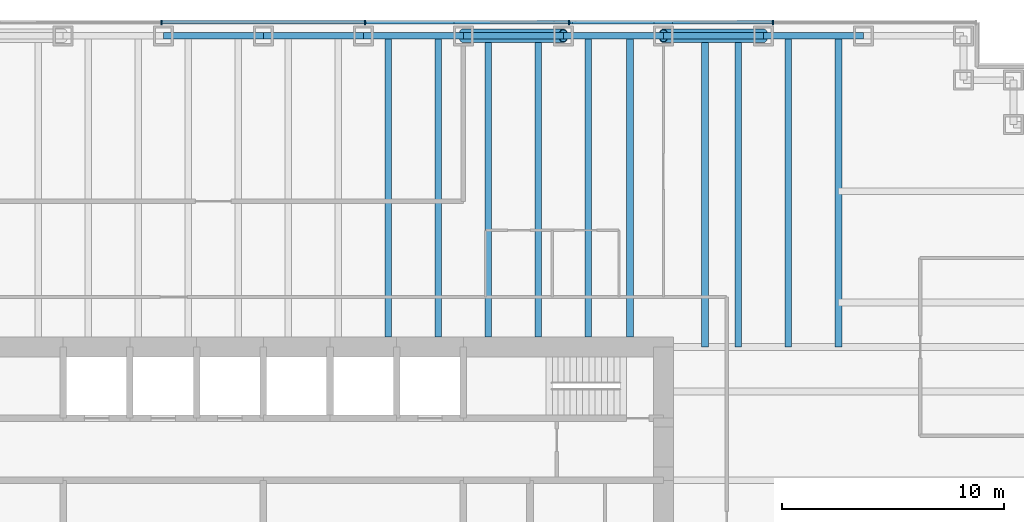
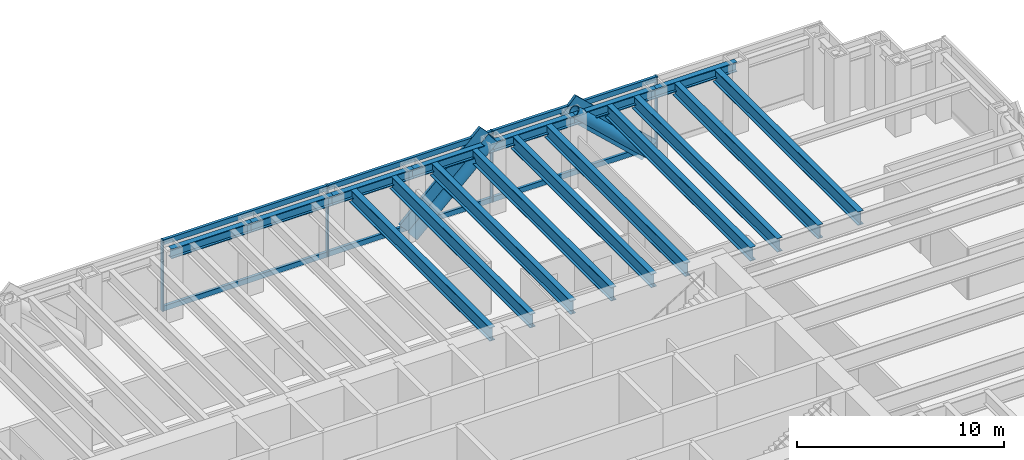
# One storey, part 7 of 15: 17 beams, 14 members, 1 element without a shape of its own.
"""IFC4 building model written with IfcOpenShell, lengths in metres."""

from ifc_helpers import new_model, si_unit, direction, frame, origin, origin_2d, place, context, subcontext, project, spatial, rectangle, hollow_circle, i_section, extrude, material, material_profile, profile_set, type_object, element, aggregate, save


model = new_model("IFC4")

# Units and contexts
model_context = context("Model", 3, precision=1e-05, world=origin(), true_north=direction((0.0, 1.0)))
body_context = subcontext(model_context, "Body", "Model", "MODEL_VIEW")
ifc_project = project(units=[si_unit("LENGTHUNIT", "METRE"), si_unit("AREAUNIT", "SQUARE_METRE"), si_unit("VOLUMEUNIT", "CUBIC_METRE"), si_unit("PLANEANGLEUNIT", "RADIAN"), si_unit("MASSUNIT", "GRAM", prefix="KILO")], contexts=[model_context])

# Site, building, storey
site_placement = place(None, origin())
site = spatial("IfcSite", under=ifc_project, at=site_placement, CompositionType="ELEMENT")
building_placement = place(site_placement, origin())
building = spatial("IfcBuilding", under=site, at=building_placement, Name="Rheinbord Bourse Tower", CompositionType="ELEMENT")
storey_placement = place(building_placement, frame((0.0, 0.0, 134.10009765625)))
storey = spatial("IfcBuildingStorey", under=building, at=storey_placement, Name="L29", CompositionType="ELEMENT", Elevation=134.10009765625)

# Curtain wall, members
ifc_material_1 = material(Name="Dark glass and black aluminium", Category="aluminium")
curtain_wall_type = type_object("IfcCurtainWallType", Name="CW2 DARK GLASS CURTAIN WALL", PredefinedType="USERDEFINED", material=ifc_material_1)
curtain_wall_placement = place(storey_placement, origin())
curtain_wall = element("IfcCurtainWall", 1, at=curtain_wall_placement, inside=storey, type_object=curtain_wall_type, Name="Curtain wall CW2 N L29", ObjectType="UNITISED CURTAIN WALL", PredefinedType="USERDEFINED")
ifc_material_2 = material(Name="Black anodised aluminium", Category="aluminium")
ifc_material_profile_1 = material_profile(ifc_material_2, rectangle(XDim=0.159912109375, YDim=1.2099609375, at=origin_2d()), Name="CW2 DIAGONAL MULLION 1210x160")
ifc_profile_set_1 = profile_set([ifc_material_profile_1], Name="Black anodised aluminium")
member_type_1 = type_object("IfcMemberType", Name="CW2 BLACK DIAGONAL MULLION", PredefinedType="USERDEFINED", material=ifc_profile_set_1)
member_1_placement = place(storey_placement, frame((58.5, 46.60009765625, 0.0), z_axis=(-0.73105922506, 0.0, 0.682314010889), x_axis=(0.0, -1.0, 0.0)))
member_1 = element("IfcMember", 2, at=member_1_placement, type_object=member_type_1, Name="CW2 diagonal mullion b", ObjectType="DIAGONAL MULLION", PredefinedType="USERDEFINED", context=body_context, shape_type="SweptSolid", body=[
    extrude(rectangle(XDim=0.159912109375, YDim=1.2099609375, at=origin_2d()), origin(), (0.0, 0.0, 1.0), 6.155517578125),
])
member_2_placement = place(storey_placement, frame((45.0, 46.60009765625, 0.0), z_axis=(0.73105922506, 0.0, 0.682314010889), x_axis=(0.0, 1.0, 0.0)))
member_2 = element("IfcMember", 3, at=member_2_placement, type_object=member_type_1, Name="CW2 diagonal mullion c", ObjectType="DIAGONAL MULLION", PredefinedType="USERDEFINED", context=body_context, shape_type="SweptSolid", body=[
    extrude(rectangle(XDim=0.159912109375, YDim=1.2099609375, at=origin_2d()), origin(), (0.0, 0.0, 1.0), 6.155517578125),
])
ifc_material_3 = material(Name="Black anodised aluminium", Category="aluminium")
ifc_material_profile_2 = material_profile(ifc_material_3, rectangle(XDim=0.219970703125, YDim=0.070068359375, at=origin_2d()), Name="CW2 MULLION 70x220")
ifc_profile_set_2 = profile_set([ifc_material_profile_2], Name="Black anodised aluminium")
member_type_2 = type_object("IfcMemberType", Name="CW2 BLACK MULLION", PredefinedType="MULLION", material=ifc_profile_set_2)
member_3_placement = place(storey_placement, frame((58.928466796875, 46.60009765625, 0.0), z_axis=(0.0, 0.0, 1.0), x_axis=(0.0, -1.0, 0.0)))
member_3 = element("IfcMember", 4, at=member_3_placement, type_object=member_type_2, Name="CW2 mullion 2", PredefinedType="MULLION", context=body_context, shape_type="SweptSolid", body=[
    extrude(rectangle(XDim=0.219970703125, YDim=0.070068359375, at=origin_2d()), origin(), (0.0, 0.0, 1.0), 4.199951171875),
])
member_4_placement = place(storey_placement, frame((49.757080078125, 46.60009765625, 0.0), z_axis=(0.0, 0.0, 1.0), x_axis=(0.0, -1.0, 0.0)))
member_4 = element("IfcMember", 5, at=member_4_placement, type_object=member_type_2, Name="CW2 mullion 3", PredefinedType="MULLION", context=body_context, shape_type="SweptSolid", body=[
    extrude(rectangle(XDim=0.219970703125, YDim=0.070068359375, at=origin_2d()), origin(), (0.0, 0.0, 1.0), 4.199951171875),
])
member_5_placement = place(storey_placement, frame((40.585693359375, 46.60009765625, 0.0), z_axis=(0.0, 0.0, 1.0), x_axis=(0.0, -1.0, 0.0)))
member_5 = element("IfcMember", 6, at=member_5_placement, type_object=member_type_2, Name="CW2 mullion 4", PredefinedType="MULLION", context=body_context, shape_type="SweptSolid", body=[
    extrude(rectangle(XDim=0.219970703125, YDim=0.070068359375, at=origin_2d()), origin(), (0.0, 0.0, 1.0), 4.199951171875),
])
member_6_placement = place(storey_placement, frame((31.414306640625, 46.60009765625, 0.0), z_axis=(0.0, 0.0, 1.0), x_axis=(0.0, -1.0, 0.0)))
member_6 = element("IfcMember", 7, at=member_6_placement, type_object=member_type_2, Name="CW2 mullion 5", PredefinedType="MULLION", context=body_context, shape_type="SweptSolid", body=[
    extrude(rectangle(XDim=0.219970703125, YDim=0.070068359375, at=origin_2d()), origin(), (0.0, 0.0, 1.0), 4.199951171875),
])
ifc_material_4 = material(Name="Black anodised aluminium", Category="aluminium")
ifc_material_profile_3 = material_profile(ifc_material_4, rectangle(XDim=0.159912109375, YDim=0.300048828125, at=origin_2d()), Name="CW2 TRANSOM 300x160")
ifc_profile_set_3 = profile_set([ifc_material_profile_3], Name="Black anodised aluminium")
member_type_3 = type_object("IfcMemberType", Name="CW2 BLACK TRANSOM", PredefinedType="USERDEFINED", material=ifc_profile_set_3)
member_7_placement = place(storey_placement, frame((58.8935546875, 46.60009765625, 0.14990234375), z_axis=(-1.0, 0.0, 0.0), x_axis=(0.0, -1.0, 0.0)))
member_7 = element("IfcMember", 8, at=member_7_placement, type_object=member_type_3, Name="CW2 transom 2.1", ObjectType="TRANSOM", PredefinedType="USERDEFINED", context=body_context, shape_type="SweptSolid", body=[
    extrude(rectangle(XDim=0.159912109375, YDim=0.300048828125, at=origin_2d()), origin(), (0.0, 0.0, 1.0), 9.101318359375),
])
member_8_placement = place(storey_placement, frame((58.8935546875, 46.60009765625, 4.0498046875), z_axis=(-1.0, 0.0, 0.0), x_axis=(0.0, -1.0, 0.0)))
member_8 = element("IfcMember", 9, at=member_8_placement, type_object=member_type_3, Name="CW2 transom 2.2", ObjectType="TRANSOM", PredefinedType="USERDEFINED", context=body_context, shape_type="SweptSolid", body=[
    extrude(rectangle(XDim=0.159912109375, YDim=0.300048828125, at=origin_2d()), origin(), (0.0, 0.0, 1.0), 9.101318359375),
])
member_9_placement = place(storey_placement, frame((49.72216796875, 46.60009765625, 0.14990234375), z_axis=(-1.0, 0.0, 0.0), x_axis=(0.0, -1.0, 0.0)))
member_9 = element("IfcMember", 10, at=member_9_placement, type_object=member_type_3, Name="CW2 transom 3.1", ObjectType="TRANSOM", PredefinedType="USERDEFINED", context=body_context, shape_type="SweptSolid", body=[
    extrude(rectangle(XDim=0.159912109375, YDim=0.300048828125, at=origin_2d()), origin(), (0.0, 0.0, 1.0), 9.1015625),
])
member_10_placement = place(storey_placement, frame((49.72216796875, 46.60009765625, 4.0498046875), z_axis=(-1.0, 0.0, 0.0), x_axis=(0.0, -1.0, 0.0)))
member_10 = element("IfcMember", 11, at=member_10_placement, type_object=member_type_3, Name="CW2 transom 3.2", ObjectType="TRANSOM", PredefinedType="USERDEFINED", context=body_context, shape_type="SweptSolid", body=[
    extrude(rectangle(XDim=0.159912109375, YDim=0.300048828125, at=origin_2d()), origin(), (0.0, 0.0, 1.0), 9.1015625),
])
member_11_placement = place(storey_placement, frame((40.55078125, 46.60009765625, 0.14990234375), z_axis=(-1.0, 0.0, 0.0), x_axis=(0.0, -1.0, 0.0)))
member_11 = element("IfcMember", 12, at=member_11_placement, type_object=member_type_3, Name="CW2 transom 4.1", ObjectType="TRANSOM", PredefinedType="USERDEFINED", context=body_context, shape_type="SweptSolid", body=[
    extrude(rectangle(XDim=0.159912109375, YDim=0.300048828125, at=origin_2d()), origin(), (0.0, 0.0, 1.0), 9.1015625),
])
member_12_placement = place(storey_placement, frame((40.55078125, 46.60009765625, 4.0498046875), z_axis=(-1.0, 0.0, 0.0), x_axis=(0.0, -1.0, 0.0)))
member_12 = element("IfcMember", 13, at=member_12_placement, type_object=member_type_3, Name="CW2 transom 4.2", ObjectType="TRANSOM", PredefinedType="USERDEFINED", context=body_context, shape_type="SweptSolid", body=[
    extrude(rectangle(XDim=0.159912109375, YDim=0.300048828125, at=origin_2d()), origin(), (0.0, 0.0, 1.0), 9.1015625),
])
aggregate(curtain_wall, [member_3, member_4, member_5, member_6, member_7, member_8, member_9, member_10, member_11, member_12, member_1, member_2])

# Beams
ifc_material_5 = material(Name="Steel S460", Category="steel")
ifc_material_profile_4 = material_profile(ifc_material_5, i_section(OverallWidth=0.300048828125, OverallDepth=0.800048828125, WebThickness=0.017578125, FlangeThickness=0.032958984375, at=origin_2d()), Name="HEB 800")
ifc_profile_set_4 = profile_set([ifc_material_profile_4], Name="Steel S460")
beam_type_1 = type_object("IfcBeamType", Name="FLOOR BEAM HEB 800", PredefinedType="BEAM", material=ifc_profile_set_4)
for number, where, z_axis, x_axis, name in (
    (14, (41.625, 46.0, 3.639892578125), (0.0, -1.0, 0.0), (1.0, 0.0, 0.0), "Floor beam N-40.5a L30"),
    (15, (43.875, 46.0, 3.639892578125), (0.0, -1.0, 0.0), (1.0, 0.0, 0.0), "Floor beam N-40.5b L30"),
    (16, (46.125, 46.0, 3.639892578125), (0.0, -1.0, 0.0), (1.0, 0.0, 0.0), "Floor beam N-45a L30"),
    (17, (48.375, 46.0, 3.639892578125), (0.0, -1.0, 0.0), (1.0, 0.0, 0.0), "Floor beam N-45b L30"),
    (18, (50.625, 46.0, 3.639892578125), (0.0, -1.0, 0.0), (1.0, 0.0, 0.0), "Floor beam N-49.5a L30"),
    (19, (52.5, 46.0, 3.639892578125), (0.0, -1.0, 0.0), (1.0, 0.0, 0.0), "Floor beam N-49.5b L30"),
):
    element("IfcBeam", number, at=place(storey_placement, frame(where, z_axis=z_axis, x_axis=x_axis)), inside=storey, type_object=beam_type_1, Name=name, PredefinedType="BEAM", context=body_context, shape_type="SweptSolid", body=[
        extrude(i_section(OverallWidth=0.300048828125, OverallDepth=0.800048828125, WebThickness=0.017578125, FlangeThickness=0.032958984375, at=origin_2d()), origin(), (0.0, 0.0, 1.0), 13.550048828125),
    ])
for number, where, z_axis, x_axis, name in (
    (20, (55.875, 46.0, 3.639892578125), (0.0, -1.0, 0.0), (1.0, 0.0, 0.0), "Floor beam N-54a L30"),
    (21, (57.375, 46.0, 3.639892578125), (0.0, -1.0, 0.0), (1.0, 0.0, 0.0), "Floor beam N-54b L30"),
    (22, (59.625, 46.0, 3.639892578125), (0.0, -1.0, 0.0), (1.0, 0.0, 0.0), "Floor beam N-58.5a L30"),
    (23, (61.875, 46.0, 3.639892578125), (0.0, -1.0, 0.0), (1.0, 0.0, 0.0), "Floor beam N-58.5b L30"),
):
    element("IfcBeam", number, at=place(storey_placement, frame(where, z_axis=z_axis, x_axis=x_axis)), inside=storey, type_object=beam_type_1, Name=name, PredefinedType="BEAM", context=body_context, shape_type="SweptSolid", body=[
        extrude(i_section(OverallWidth=0.300048828125, OverallDepth=0.800048828125, WebThickness=0.017578125, FlangeThickness=0.032958984375, at=origin_2d()), origin(), (0.0, 0.0, 1.0), 14.0),
    ])

# Members
ifc_material_6 = material(Name="Steel S460", Category="steel")
ifc_material_profile_5 = material_profile(ifc_material_6, hollow_circle(Radius=0.304931640625, WallThickness=0.0400390625, at=origin_2d()), Name="CHS 610x40")
ifc_profile_set_5 = profile_set([ifc_material_profile_5], Name="Steel S460")
member_type_4 = type_object("IfcMemberType", Name="MEGABRACE CHS 610x40", PredefinedType="BRACE", material=ifc_profile_set_5)
for number, where, z_axis, x_axis, name in (
    (24, (58.5, 46.0, 0.0), (-0.73105922506, 0.0, 0.682314010889), (0.0, -1.0, 0.0), "Megabrace N face line b L29"),
    (25, (45.0, 46.0, 0.0), (0.73105922506, 0.0, 0.682314010889), (0.0, 1.0, 0.0), "Megabrace N face line c L29"),
):
    element("IfcMember", number, at=place(storey_placement, frame(where, z_axis=z_axis, x_axis=x_axis)), inside=storey, type_object=member_type_4, Name=name, PredefinedType="BRACE", context=body_context, shape_type="SweptSolid", body=[
        extrude(hollow_circle(Radius=0.304931640625, WallThickness=0.0400390625, at=origin_2d()), origin(), (0.0, 0.0, 1.0), 6.155517578125),
    ])

# Beams
ifc_material_7 = material(Name="Steel S460", Category="steel")
ifc_material_profile_6 = material_profile(ifc_material_7, i_section(OverallWidth=0.305908203125, OverallDepth=0.572021484375, WebThickness=0.02099609375, FlangeThickness=0.0400390625, at=origin_2d()), Name="HEM 550")
ifc_profile_set_6 = profile_set([ifc_material_profile_6], Name="Steel S460")
beam_type_2 = type_object("IfcBeamType", Name="SPANDREL HEM 550", PredefinedType="SPANDREL", material=ifc_profile_set_6)
for number, where, z_axis, x_axis, name in (
    (26, (63.0, 46.0, 3.75390625), (-1.0, 0.0, 0.0), (0.0, -1.0, 0.0), "Spandrel N-63-N-58.5 under L30"),
    (27, (58.5, 46.0, 3.75390625), (-1.0, 0.0, 0.0), (0.0, -1.0, 0.0), "Spandrel N-58.5-N-54 under L30"),
    (28, (54.0, 46.0, 3.75390625), (-1.0, 0.0, 0.0), (0.0, -1.0, 0.0), "Spandrel N-54-N-49.5 under L30"),
    (29, (49.5, 46.0, 3.75390625), (-1.0, 0.0, 0.0), (0.0, -1.0, 0.0), "Spandrel N-49.5-N-45 under L30"),
    (30, (45.0, 46.0, 3.75390625), (-1.0, 0.0, 0.0), (0.0, -1.0, 0.0), "Spandrel N-45-N-40.5 under L30"),
    (31, (40.5, 46.0, 3.75390625), (-1.0, 0.0, 0.0), (0.0, -1.0, 0.0), "Spandrel N-40.5-N-36 under L30"),
    (32, (36.0, 46.0, 3.75390625), (-1.0, 0.0, 0.0), (0.0, -1.0, 0.0), "Spandrel N-36-N-31.5 under L30"),
):
    element("IfcBeam", number, at=place(storey_placement, frame(where, z_axis=z_axis, x_axis=x_axis)), inside=storey, type_object=beam_type_2, Name=name, PredefinedType="SPANDREL", context=body_context, shape_type="SweptSolid", body=[
        extrude(i_section(OverallWidth=0.305908203125, OverallDepth=0.572021484375, WebThickness=0.02099609375, FlangeThickness=0.0400390625, at=origin_2d()), origin(), (0.0, 0.0, 1.0), 4.5),
    ])

save(model, "model.ifc")
